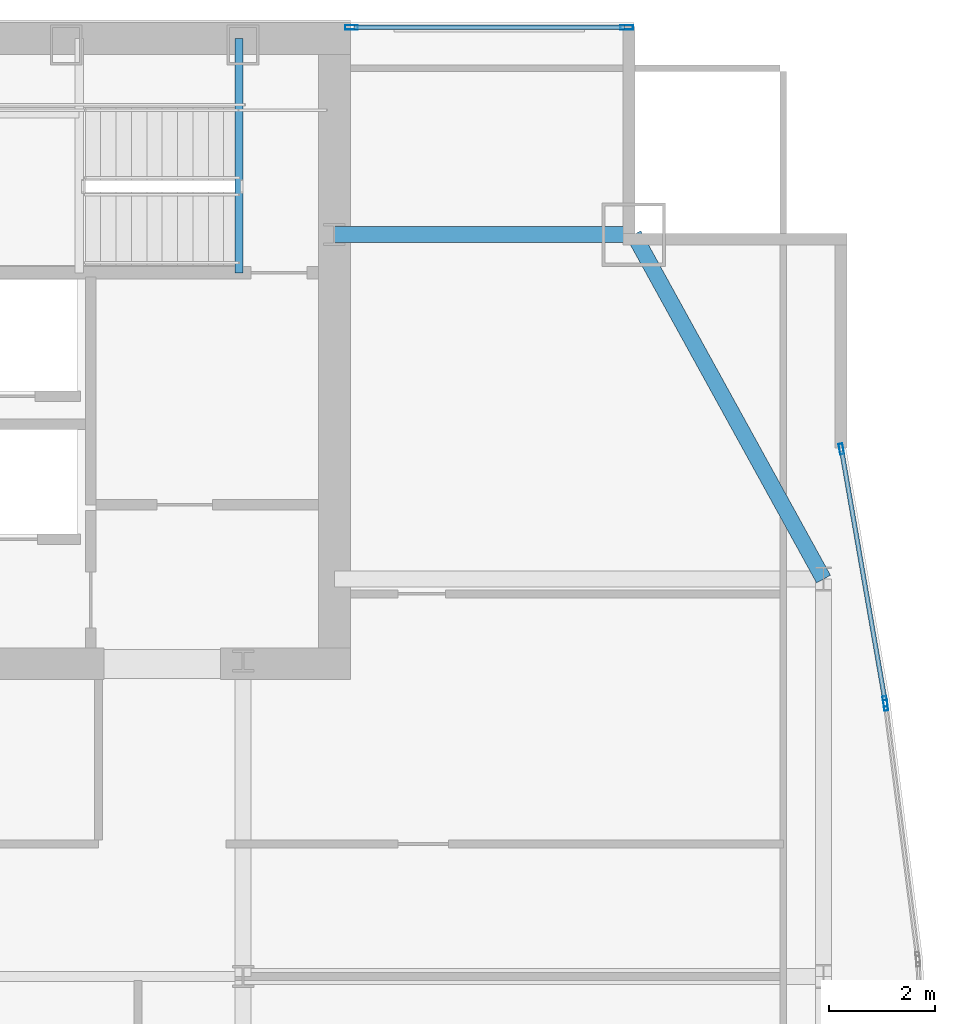
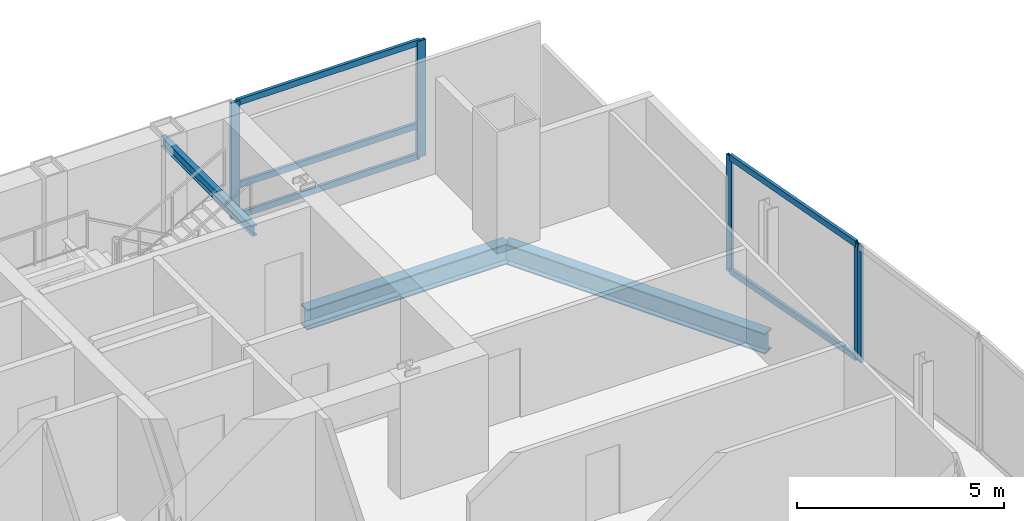
# One storey, part 23 of 30: 10 members, 3 beams, 3 elements without a shape of their own.
"""IFC4 building model written with IfcOpenShell, lengths in metres."""

import ifcopenshell
import ifcopenshell.guid

model = None  # the IFC model being written
_history = None  # IfcOwnerHistory: only IFC2X3 demands one
_inside = {}  # id of a spatial element -> (the spatial element, [elements in it])
_under = {}  # id of a project, library or spatial element -> (it, [spatial elements below it])
_declared = {}  # id of a project -> (the project, [libraries it declares])
_typed = {}  # id of a type object -> (the type object, [elements of that type])
_made_of = {}  # id of a material, layer set ... -> (it, [elements and type objects made of it])


def new_model(schema):
    """Start an empty IFC model of exactly this schema.

    Asked for "IFC4X3", IfcOpenShell would pick the latest addendum, in which some entities
    have other attributes; the version numbers below select the first issue.
    IFC2X3 requires an IfcOwnerHistory on every rooted entity: one is made here for all.
    """
    global model, _history
    if schema == "IFC4X3":
        model = ifcopenshell.file(schema_version=(4, 3, 0, 0))
    else:
        model = ifcopenshell.file(schema=schema)
    _inside.clear()
    _under.clear()
    _declared.clear()
    _typed.clear()
    _made_of.clear()
    _history = None
    if model.schema == "IFC2X3":
        org = make("IfcOrganization", Name="unknown")
        user = make(
            "IfcPersonAndOrganization",
            ThePerson=make("IfcPerson", FamilyName="unknown"),
            TheOrganization=org,
        )
        app = make(
            "IfcApplication",
            ApplicationDeveloper=org,
            Version="unknown",
            ApplicationFullName="unknown",
            ApplicationIdentifier="unknown",
        )
        _history = make(
            "IfcOwnerHistory",
            OwningUser=user,
            OwningApplication=app,
            ChangeAction="ADDED",
            CreationDate=0,
        )
    return model


def make(cls, **values):
    """One entity of the class cls with the attributes given. An attribute that is None is left unset."""
    return model.create_entity(
        cls, **{name: value for name, value in values.items() if value is not None}
    )


def rooted(cls, **values):
    """An entity with a GlobalId (a new one), such as an element, a storey or a relation."""
    return make(cls, GlobalId=ifcopenshell.guid.new(), OwnerHistory=_history, **values)


def si_unit(unit_type, name, prefix=None):
    """IfcSIUnit, for example si_unit("LENGTHUNIT", "METRE", prefix="MILLI")."""
    return make("IfcSIUnit", UnitType=unit_type, Prefix=prefix, Name=name)


def assignment(units):
    """IfcUnitAssignment: the units of a project."""
    return None if units is None else make("IfcUnitAssignment", Units=units)


def point(xyz):
    """IfcCartesianPoint."""
    return None if xyz is None else make("IfcCartesianPoint", Coordinates=xyz)


def direction(xyz):
    """IfcDirection."""
    return None if xyz is None else make("IfcDirection", DirectionRatios=xyz)


def frame(location, z_axis=None, x_axis=None):
    """IfcAxis2Placement3D, a coordinate frame: its origin and axes. An axis left out is left unset."""
    return make(
        "IfcAxis2Placement3D",
        Location=point(location),
        Axis=direction(z_axis),
        RefDirection=direction(x_axis),
    )


def frame_2d(location, x_axis=None):
    """IfcAxis2Placement2D, a coordinate frame in the plane: its origin and x axis."""
    return make(
        "IfcAxis2Placement2D", Location=point(location), RefDirection=direction(x_axis)
    )


def origin():
    """The frame at (0, 0, 0) with its axes left unset."""
    return frame((0.0, 0.0, 0.0))


def origin_2d():
    """The frame at (0, 0) in the plane with its x axis left unset."""
    return frame_2d((0.0, 0.0))


def place(relative_to, where):
    """IfcLocalPlacement: puts the frame where relative to a parent placement (None: the world)."""
    return make(
        "IfcLocalPlacement", PlacementRelTo=relative_to, RelativePlacement=where
    )


def context(
    kind, dimensions, precision=None, world=None, true_north=None, identifier=None
):
    """IfcGeometricRepresentationContext, for example the 3D "Model" context."""
    return make(
        "IfcGeometricRepresentationContext",
        ContextIdentifier=identifier,
        ContextType=kind,
        CoordinateSpaceDimension=dimensions,
        Precision=precision,
        WorldCoordinateSystem=world,
        TrueNorth=true_north,
    )


def subcontext(parent, identifier, kind, view, scale=None):
    """IfcGeometricRepresentationSubContext, for example "Body" below "Model"."""
    return make(
        "IfcGeometricRepresentationSubContext",
        ContextIdentifier=identifier,
        ContextType=kind,
        ParentContext=parent,
        TargetScale=scale,
        TargetView=view,
    )


def project(units=None, contexts=None):
    """IfcProject with its units and contexts."""
    return rooted(
        "IfcProject",
        Name="project",
        RepresentationContexts=contexts,
        UnitsInContext=assignment(units),
    )


def spatial(cls, under=None, at=None, **own):
    """A site, building, storey or space (cls), placed at a placement, below another one or the project."""
    s = rooted(cls, ObjectPlacement=at, **own)
    if under is not None:
        _under.setdefault(under.id(), (under, []))[1].append(s)
    return s


def profile(cls, at=None, kind="AREA", **sizes):
    """A parametric profile (cls). Its sizes go by their IFC names, for example OverallWidth=200.0."""
    return make(cls, ProfileType=kind, Position=at, **sizes)


def hollow_rectangle(**sizes):
    """IfcRectangleHollowProfileDef."""
    return profile("IfcRectangleHollowProfileDef", **sizes)


def i_section(**sizes):
    """IfcIShapeProfileDef."""
    return profile("IfcIShapeProfileDef", **sizes)


def extrude(swept, where, along, depth):
    """IfcExtrudedAreaSolid: the profile swept, set in the frame where, extruded along a direction by depth."""
    return make(
        "IfcExtrudedAreaSolid",
        SweptArea=swept,
        Position=where,
        ExtrudedDirection=direction(along),
        Depth=depth,
    )


def shape(context_of_items, identifier, shape_type, items):
    """IfcShapeRepresentation: the items that make up one representation, for example the "Body"."""
    return make(
        "IfcShapeRepresentation",
        ContextOfItems=context_of_items,
        RepresentationIdentifier=identifier,
        RepresentationType=shape_type,
        Items=items,
    )


def material(Name=None, Category=None):
    """IfcMaterial."""
    return make("IfcMaterial", Name=Name, Category=Category)


def material_profile(
    of_material, cross_section, Name=None, Category=None, Priority=None
):
    """IfcMaterialProfile: a cross section and its material."""
    return make(
        "IfcMaterialProfile",
        Name=Name,
        Material=of_material,
        Profile=cross_section,
        Priority=Priority,
        Category=Category,
    )


def profile_set(profiles, Name=None, composite=None):
    """IfcMaterialProfileSet."""
    return make(
        "IfcMaterialProfileSet",
        Name=Name,
        MaterialProfiles=profiles,
        CompositeProfile=composite,
    )


def made_of(thing, what):
    """Note that an element or type object is made of a material, layer set ...; save() writes the relation."""
    if what is not None:
        _made_of.setdefault(what.id(), (what, []))[1].append(thing)
    return thing


def type_object(cls, material=None, **own):
    """A type object (cls), such as IfcWallType, which elements share."""
    return made_of(rooted(cls, **own), material)


def element(
    cls,
    number,
    at=None,
    inside=None,
    cuts=None,
    type_object=None,
    material=None,
    context=None,
    identifier="Body",
    shape_type=None,
    held_by="IfcProductDefinitionShape",
    body=None,
    shapes=None,
    **own,
):
    """One element of the class cls, such as IfcWall. Its Tag is "e" and its number.

    at: its placement. inside: the storey or other place that contains it. cuts: it is an
    opening in that element (IfcRelVoidsElement). A single representation is given by context,
    identifier, shape_type and body (its items); several are given by shapes. held_by: the class
    of the entity that holds the representations. save() writes the other relations.
    """
    e = rooted(cls, Tag="e%d" % number, ObjectPlacement=at, **own)
    if body is not None:
        shapes = [shape(context, identifier, shape_type, body)]
    if shapes is not None:
        e.Representation = make(held_by, Representations=shapes)
    if inside is not None:
        _inside.setdefault(inside.id(), (inside, []))[1].append(e)
    if cuts is not None:
        rooted(
            "IfcRelVoidsElement", RelatingBuildingElement=cuts, RelatedOpeningElement=e
        )
    if type_object is not None:
        _typed.setdefault(type_object.id(), (type_object, []))[1].append(e)
    return made_of(e, material)


def aggregate(whole, parts):
    """IfcRelAggregates: a whole, such as a stair, and the parts it consists of."""
    return rooted("IfcRelAggregates", RelatingObject=whole, RelatedObjects=parts)


def save(model, path):
    """Write the relations noted so far, then the file.

    IfcRelAggregates (storeys below a building ...), IfcRelContainedInSpatialStructure (elements
    in a storey), IfcRelDefinesByType, IfcRelAssociatesMaterial and IfcRelDeclares: one each for
    every whole, place, type object, material and project.
    """
    for whole, parts in _under.values():
        aggregate(whole, parts)
    for where, things in _inside.values():
        rooted(
            "IfcRelContainedInSpatialStructure",
            RelatedElements=things,
            RelatingStructure=where,
        )
    for kind, things in _typed.values():
        rooted("IfcRelDefinesByType", RelatedObjects=things, RelatingType=kind)
    for what, things in _made_of.values():
        rooted("IfcRelAssociatesMaterial", RelatedObjects=things, RelatingMaterial=what)
    for by, libraries in _declared.values():
        rooted("IfcRelDeclares", RelatingContext=by, RelatedDefinitions=libraries)
    model.write(path)


model = new_model("IFC4")

# Units and contexts
model_context = context("Model", 3, precision=1e-05, world=origin(), true_north=direction((0.0, 1.0)))
body_context = subcontext(model_context, "Body", "Model", "MODEL_VIEW")
ifc_project = project(units=[si_unit("LENGTHUNIT", "METRE"), si_unit("AREAUNIT", "SQUARE_METRE"), si_unit("VOLUMEUNIT", "CUBIC_METRE"), si_unit("PLANEANGLEUNIT", "RADIAN"), si_unit("MASSUNIT", "GRAM", prefix="KILO")], contexts=[model_context])

# Site, building, storey
site_placement = place(None, origin())
site = spatial("IfcSite", under=ifc_project, at=site_placement, CompositionType="ELEMENT")
building_placement = place(site_placement, origin())
building = spatial("IfcBuilding", under=site, at=building_placement, Name="Khoronbel Lancet Exchange", CompositionType="ELEMENT")
storey_placement = place(building_placement, frame((0.0, 0.0, 224.60009765625)))
storey = spatial("IfcBuildingStorey", under=building, at=storey_placement, Name="L57", CompositionType="ELEMENT", Elevation=224.60009765625)

# Beams
ifc_material_1 = material(Name="Steel S355", Category="steel")
ifc_material_profile_1 = material_profile(ifc_material_1, i_section(OverallWidth=0.14990234375, OverallDepth=0.300048828125, WebThickness=0.007080078125, FlangeThickness=0.0107421875, at=origin_2d()), Name="IPE 300")
ifc_profile_set_1 = profile_set([ifc_material_profile_1], Name="Steel S355")
beam_type_1 = type_object("IfcBeamType", Name="BM-BJ8", PredefinedType="JOIST", material=ifc_profile_set_1)
beam_1_placement = place(storey_placement, frame((54.60009765625, 48.97998046875, 3.159912109375), z_axis=(0.0, 1.0, 0.0), x_axis=(-1.0, 0.0, 0.0)))
element("IfcBeam", 1, at=beam_1_placement, inside=storey, type_object=beam_type_1, Name="Level L57 stair ST2 upper-flight arrival trimmer beam", PredefinedType="JOIST", context=body_context, shape_type="SweptSolid", body=[
    extrude(i_section(OverallWidth=0.14990234375, OverallDepth=0.300048828125, WebThickness=0.007080078125, FlangeThickness=0.0107421875, at=origin_2d()), origin(), (0.0, 0.0, 1.0), 4.419921875),
])
ifc_material_profile_2 = material_profile(ifc_material_1, i_section(OverallWidth=0.300048828125, OverallDepth=0.60009765625, WebThickness=0.015380859375, FlangeThickness=0.030029296875, at=origin_2d()), Name="HEB 600")
ifc_profile_set_2 = profile_set([ifc_material_profile_2], Name="Steel S355")
beam_type_2 = type_object("IfcBeamType", Name="BM-BSP2", PredefinedType="SPANDREL", material=ifc_profile_set_2)
beam_2_placement = place(storey_placement, frame((65.6298828125, 43.199951171875, -0.460205078125), z_axis=(-0.482418808117, 0.875940690672, 0.0), x_axis=(-0.875940690672, -0.482418808117, 0.0)))
element("IfcBeam", 2, at=beam_2_placement, inside=storey, type_object=beam_type_2, Name="Level L57 perimeter spandrel beam SP15", PredefinedType="SPANDREL", context=body_context, shape_type="SweptSolid", body=[
    extrude(i_section(OverallWidth=0.300048828125, OverallDepth=0.60009765625, WebThickness=0.015380859375, FlangeThickness=0.030029296875, at=origin_2d()), origin(), (0.0, 0.0, 1.0), 7.420654296875),
])
beam_3_placement = place(storey_placement, frame((62.050048828125, 49.699951171875, -0.460205078125), z_axis=(-1.0, 0.0, 0.0), x_axis=(0.0, -1.0, 0.0)))
element("IfcBeam", 3, at=beam_3_placement, inside=storey, type_object=beam_type_2, Name="Level L57 north flank tie spandrel SP23", PredefinedType="SPANDREL", context=body_context, shape_type="SweptSolid", body=[
    extrude(i_section(OverallWidth=0.300048828125, OverallDepth=0.60009765625, WebThickness=0.015380859375, FlangeThickness=0.030029296875, at=origin_2d()), origin(), (0.0, 0.0, 1.0), 5.650146484375),
])

# Curtain wall, members
ifc_material_2 = material(Name="Low-E Solar Control Insulating Glass", Category="glass")
curtain_wall_type_1 = type_object("IfcCurtainWallType", Name="CW-3", PredefinedType="NOTDEFINED", material=ifc_material_2)
curtain_wall_1_placement = place(storey_placement, origin())
curtain_wall_1 = element("IfcCurtainWall", 4, at=curtain_wall_1_placement, inside=storey, type_object=curtain_wall_type_1, Name="Unitised curtain wall CW-L57-NEFLK", PredefinedType="NOTDEFINED")
ifc_material_3 = material(Name="Bronze-Anodised Aluminium 6063-T6", Category="aluminium")
ifc_material_profile_3 = material_profile(ifc_material_3, hollow_rectangle(XDim=0.0849609375, YDim=0.239990234375, WallThickness=0.006103515625, at=origin_2d()), Name="ALU MULLION 85x240")
ifc_profile_set_3 = profile_set([ifc_material_profile_3], Name="Bronze-Anodised Aluminium 6063-T6")
member_type_1 = type_object("IfcMemberType", Name="MEM-CWM1", PredefinedType="MULLION", material=ifc_profile_set_3)
member_1_placement = place(storey_placement, frame((61.91748046875, 53.610107421875, 0.0), z_axis=(0.0, 0.0, 1.0), x_axis=(0.0, -1.0, 0.0)))
member_1 = element("IfcMember", 5, at=member_1_placement, type_object=member_type_1, Name="CW3 mullion 1", PredefinedType="MULLION", context=body_context, shape_type="SweptSolid", body=[
    extrude(hollow_rectangle(XDim=0.0849609375, YDim=0.239990234375, WallThickness=0.006103515625, at=origin_2d()), origin(), (0.0, 0.0, 1.0), 3.43994140625),
])
member_2_placement = place(storey_placement, frame((56.722412109375, 53.610107421875, 0.0), z_axis=(0.0, 0.0, 1.0), x_axis=(0.0, -1.0, 0.0)))
member_2 = element("IfcMember", 6, at=member_2_placement, type_object=member_type_1, Name="CW3 mullion 2", PredefinedType="MULLION", context=body_context, shape_type="SweptSolid", body=[
    extrude(hollow_rectangle(XDim=0.0849609375, YDim=0.239990234375, WallThickness=0.006103515625, at=origin_2d()), origin(), (0.0, 0.0, 1.0), 3.43994140625),
])

curtain_wall_type_2 = type_object("IfcCurtainWallType", Name="CW-4", PredefinedType="NOTDEFINED", material=ifc_material_2)
curtain_wall_2_placement = place(storey_placement, origin())
curtain_wall_2 = element("IfcCurtainWall", 7, at=curtain_wall_2_placement, inside=storey, type_object=curtain_wall_type_2, Name="Unitised curtain wall CW-L57-E17", PredefinedType="NOTDEFINED")
ifc_material_profile_4 = material_profile(ifc_material_3, hollow_rectangle(XDim=0.074951171875, YDim=0.199951171875, WallThickness=0.0048828125, at=origin_2d()), Name="ALU MULLION 75x200")
ifc_profile_set_4 = profile_set([ifc_material_profile_4], Name="Bronze-Anodised Aluminium 6063-T6")
member_type_2 = type_object("IfcMemberType", Name="MEM-CWM2", PredefinedType="MULLION", material=ifc_profile_set_4)
member_3_placement = place(storey_placement, frame((65.96630859375, 45.6552734375, 0.0), z_axis=(0.0, 0.0, 1.0), x_axis=(0.985299795883, 0.170834165885, 0.0)))
member_3 = element("IfcMember", 8, at=member_3_placement, type_object=member_type_2, Name="CW4 mullion 1", PredefinedType="MULLION", context=body_context, shape_type="SweptSolid", body=[
    extrude(hollow_rectangle(XDim=0.074951171875, YDim=0.199951171875, WallThickness=0.0048828125, at=origin_2d()), origin(), (0.0, 0.0, 1.0), 3.43994140625),
])
member_4_placement = place(storey_placement, frame((66.79248046875, 40.89013671875, 0.0), z_axis=(0.0, 0.0, 1.0), x_axis=(0.985299795883, 0.170834165885, 0.0)))
member_4 = element("IfcMember", 9, at=member_4_placement, type_object=member_type_2, Name="CW4 mullion 2", PredefinedType="MULLION", context=body_context, shape_type="SweptSolid", body=[
    extrude(hollow_rectangle(XDim=0.074951171875, YDim=0.199951171875, WallThickness=0.0048828125, at=origin_2d()), origin(), (0.0, 0.0, 1.0), 3.43994140625),
])

# Curtain wall, member
curtain_wall_3_placement = place(storey_placement, origin())
curtain_wall_3 = element("IfcCurtainWall", 10, at=curtain_wall_3_placement, inside=storey, type_object=curtain_wall_type_2, Name="Unitised curtain wall CW-L57-E18", PredefinedType="NOTDEFINED")
member_5_placement = place(storey_placement, frame((66.8037109375, 40.816162109375, 0.0), z_axis=(0.0, 0.0, 1.0), x_axis=(0.992040249604, 0.125921178381, 0.0)))
member_5 = element("IfcMember", 11, at=member_5_placement, type_object=member_type_2, Name="CW4 mullion 1", PredefinedType="MULLION", context=body_context, shape_type="SweptSolid", body=[
    extrude(hollow_rectangle(XDim=0.074951171875, YDim=0.199951171875, WallThickness=0.0048828125, at=origin_2d()), origin(), (0.0, 0.0, 1.0), 3.43994140625),
])
aggregate(curtain_wall_3, [member_5])

# Member
ifc_material_profile_5 = material_profile(ifc_material_3, hollow_rectangle(XDim=0.0849609375, YDim=0.179931640625, WallThickness=0.0048828125, at=origin_2d()), Name="ALU TRANSOM 85x180")
ifc_profile_set_5 = profile_set([ifc_material_profile_5], Name="Bronze-Anodised Aluminium 6063-T6")
member_type_3 = type_object("IfcMemberType", Name="MEM-CWT1", PredefinedType="USERDEFINED", material=ifc_profile_set_5)
member_6_placement = place(storey_placement, frame((61.875, 53.610107421875, 0.04248046875), z_axis=(-1.0, 0.0, 0.0), x_axis=(0.0, -1.0, 0.0)))
member_6 = element("IfcMember", 12, at=member_6_placement, type_object=member_type_3, Name="CW3 transom 1.1", ObjectType="TRANSOM", PredefinedType="USERDEFINED", context=body_context, shape_type="SweptSolid", body=[
    extrude(hollow_rectangle(XDim=0.0849609375, YDim=0.179931640625, WallThickness=0.0048828125, at=origin_2d()), origin(), (0.0, 0.0, 1.0), 5.110107421875),
])

member_7_placement = place(storey_placement, frame((61.875, 53.610107421875, 0.949951171875), z_axis=(-1.0, 0.0, 0.0), x_axis=(0.0, -1.0, 0.0)))
member_7 = element("IfcMember", 13, at=member_7_placement, type_object=member_type_3, Name="CW3 transom 1.2", ObjectType="TRANSOM", PredefinedType="USERDEFINED", context=body_context, shape_type="SweptSolid", body=[
    extrude(hollow_rectangle(XDim=0.0849609375, YDim=0.179931640625, WallThickness=0.0048828125, at=origin_2d()), origin(), (0.0, 0.0, 1.0), 5.110107421875),
])

member_8_placement = place(storey_placement, frame((61.875, 53.610107421875, 3.3974609375), z_axis=(-1.0, 0.0, 0.0), x_axis=(0.0, -1.0, 0.0)))
member_8 = element("IfcMember", 14, at=member_8_placement, type_object=member_type_3, Name="CW3 transom 1.3", ObjectType="TRANSOM", PredefinedType="USERDEFINED", context=body_context, shape_type="SweptSolid", body=[
    extrude(hollow_rectangle(XDim=0.0849609375, YDim=0.179931640625, WallThickness=0.0048828125, at=origin_2d()), origin(), (0.0, 0.0, 1.0), 5.110107421875),
])

aggregate(curtain_wall_1, [member_1, member_2, member_6, member_7, member_8])

member_9_placement = place(storey_placement, frame((65.972900390625, 45.618408203125, 0.04248046875), z_axis=(0.170806636384, -0.985304568632, 0.0), x_axis=(0.985304568632, 0.170806636384, 0.0)))
member_9 = element("IfcMember", 15, at=member_9_placement, type_object=member_type_3, Name="CW4 transom 1.1", ObjectType="TRANSOM", PredefinedType="USERDEFINED", context=body_context, shape_type="SweptSolid", body=[
    extrude(hollow_rectangle(XDim=0.0849609375, YDim=0.179931640625, WallThickness=0.0048828125, at=origin_2d()), origin(), (0.0, 0.0, 1.0), 4.76123046875),
])

member_10_placement = place(storey_placement, frame((65.972900390625, 45.618408203125, 3.3974609375), z_axis=(0.170806636384, -0.985304568632, 0.0), x_axis=(0.985304568632, 0.170806636384, 0.0)))
member_10 = element("IfcMember", 16, at=member_10_placement, type_object=member_type_3, Name="CW4 transom 1.2", ObjectType="TRANSOM", PredefinedType="USERDEFINED", context=body_context, shape_type="SweptSolid", body=[
    extrude(hollow_rectangle(XDim=0.0849609375, YDim=0.179931640625, WallThickness=0.0048828125, at=origin_2d()), origin(), (0.0, 0.0, 1.0), 4.76123046875),
])

aggregate(curtain_wall_2, [member_3, member_4, member_9, member_10])

save(model, "model.ifc")
